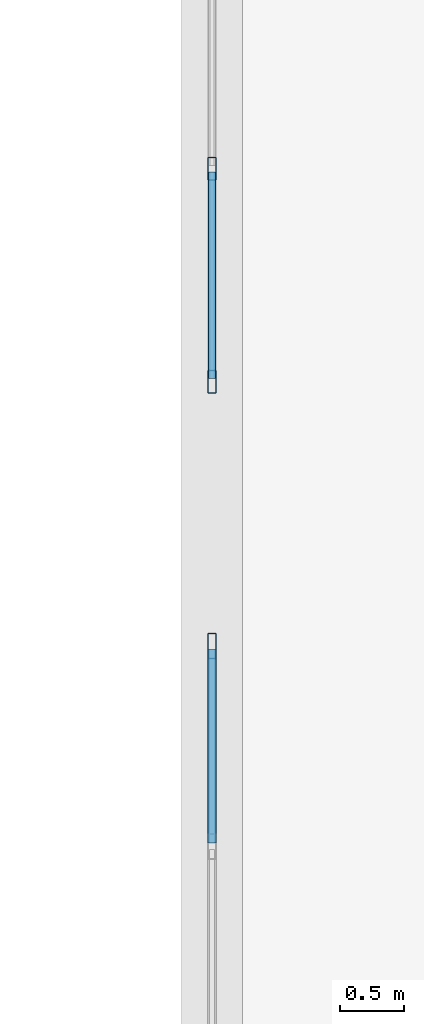
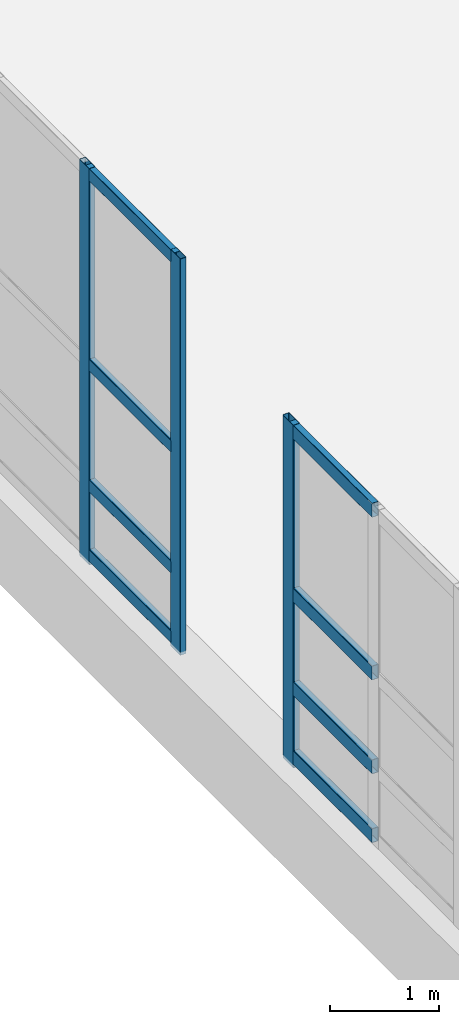
# One storey, part 11 of 197: 11 members, 2 elements without a shape of their own.
"""IFC4 building model written with IfcOpenShell, lengths in metres."""

from ifc_helpers import new_model, si_unit, derived_unit, direction, frame, origin, origin_2d, place, context, subcontext, project, spatial, hollow_rectangle, extrude, material, layer, layer_set, material_profile, profile_set, type_object, element, aggregate, save


model = new_model("IFC4")

# Units and contexts
model_context = context("Model", 3, precision=1e-05, world=origin(), true_north=direction((0.0, 1.0)))
body_context = subcontext(model_context, "Body", "Model", "MODEL_VIEW")
ifc_project = project(units=[si_unit("LENGTHUNIT", "METRE"), si_unit("AREAUNIT", "SQUARE_METRE"), si_unit("VOLUMEUNIT", "CUBIC_METRE"), si_unit("PLANEANGLEUNIT", "RADIAN"), si_unit("MASSUNIT", "GRAM", prefix="KILO"), derived_unit("THERMALTRANSMITTANCEUNIT", [(si_unit("POWERUNIT", "WATT"), 1), (si_unit("LENGTHUNIT", "METRE"), -2), (si_unit("THERMODYNAMICTEMPERATUREUNIT", "KELVIN"), -1)])], contexts=[model_context])

# Site, building, storey
site_placement = place(None, origin())
site = spatial("IfcSite", under=ifc_project, at=site_placement, CompositionType="ELEMENT")
building_placement = place(site_placement, origin())
building = spatial("IfcBuilding", under=site, at=building_placement, Name="Almenara Railside Exhibition Hall", CompositionType="ELEMENT")
storey_placement = place(building_placement, frame((0.0, 0.0, 5.39990234375)))
storey = spatial("IfcBuildingStorey", under=building, at=storey_placement, Name="L01", CompositionType="ELEMENT", Elevation=5.39990234375)

# Curtain wall, members
ifc_material_1 = material(Name="Bronze-anodised aluminium and low-E double glazing", Category="aluminium")
ifc_layer_1 = layer(ifc_material_1, 0.179931640625, Name="Bronze-anodised aluminium and low-E double glazing")
ifc_layer_set_1 = layer_set([ifc_layer_1], Name="Bronze-anodised aluminium and low-E double glazing")
curtain_wall_type_1 = type_object("IfcCurtainWallType", Name="Scroll Gable Mid Curtain Wall 3400x4400", PredefinedType="NOTDEFINED", material=ifc_layer_set_1)
curtain_wall_1_placement = place(storey_placement, origin())
curtain_wall_1 = element("IfcCurtainWall", 1, at=curtain_wall_1_placement, inside=storey, type_object=curtain_wall_type_1, Name="Curtain wall CW-G3-109", PredefinedType="NOTDEFINED")
ifc_material_2 = material(Name="Bronze-anodised aluminium", Category="aluminium")
ifc_material_profile_1 = material_profile(ifc_material_2, hollow_rectangle(XDim=0.06494140625, YDim=0.179931640625, WallThickness=0.00390625, InnerFilletRadius=0.00390625, OuterFilletRadius=0.008056640625, at=origin_2d()), Name="ALU-MUL 65x180x4")
ifc_profile_set_1 = profile_set([ifc_material_profile_1], Name="Bronze-anodised aluminium")
member_type_1 = type_object("IfcMemberType", Name="Curtain Wall Mullion 65x180x4", PredefinedType="MULLION", material=ifc_profile_set_1)
member_1_placement = place(storey_placement, frame((3.0, 13.9326171875, 0.9150390625), z_axis=(0.0, 0.0, 1.0), x_axis=(-1.0, 0.0, 0.0)))
member_1 = element("IfcMember", 2, at=member_1_placement, type_object=member_type_1, Name="CW-G3-109 mullion 1", PredefinedType="MULLION", context=body_context, shape_type="SweptSolid", body=[
    extrude(hollow_rectangle(XDim=0.06494140625, YDim=0.179931640625, WallThickness=0.00390625, InnerFilletRadius=0.00390625, OuterFilletRadius=0.008056640625, at=origin_2d()), origin(), (0.0, 0.0, 1.0), 4.43505859375),
])
member_2_placement = place(storey_placement, frame((3.0, 15.60009765625, 0.9150390625), z_axis=(0.0, 0.0, 1.0), x_axis=(-1.0, 0.0, 0.0)))
member_2 = element("IfcMember", 3, at=member_2_placement, type_object=member_type_1, Name="CW-G3-109 mullion 2", PredefinedType="MULLION", context=body_context, shape_type="SweptSolid", body=[
    extrude(hollow_rectangle(XDim=0.06494140625, YDim=0.179931640625, WallThickness=0.00390625, InnerFilletRadius=0.00390625, OuterFilletRadius=0.008056640625, at=origin_2d()), origin(), (0.0, 0.0, 1.0), 4.43505859375),
])

# Curtain wall, member
ifc_layer_2 = layer(ifc_material_1, 0.179931640625, Name="Bronze-anodised aluminium and low-E double glazing")
ifc_layer_set_2 = layer_set([ifc_layer_2], Name="Bronze-anodised aluminium and low-E double glazing")
curtain_wall_type_2 = type_object("IfcCurtainWallType", Name="Scroll Gable Side Curtain Wall 3200x3800", PredefinedType="NOTDEFINED", material=ifc_layer_set_2)
curtain_wall_2_placement = place(storey_placement, origin())
curtain_wall_2 = element("IfcCurtainWall", 4, at=curtain_wall_2_placement, inside=storey, type_object=curtain_wall_type_2, Name="Curtain wall CW-G4-108", PredefinedType="NOTDEFINED")
ifc_material_profile_2 = material_profile(ifc_material_2, hollow_rectangle(XDim=0.070068359375, YDim=0.199951171875, WallThickness=0.00439453125, InnerFilletRadius=0.00439453125, OuterFilletRadius=0.009033203125, at=origin_2d()), Name="ALU-MUL 70x200x4.5")
ifc_profile_set_2 = profile_set([ifc_material_profile_2], Name="Bronze-anodised aluminium")
member_type_2 = type_object("IfcMemberType", Name="Curtain Wall Mullion 70x200x4.5", PredefinedType="MULLION", material=ifc_profile_set_2)
member_3_placement = place(storey_placement, frame((3.0, 11.864990234375, 0.9150390625), z_axis=(0.0, 0.0, 1.0), x_axis=(-1.0, 0.0, 0.0)))
member_3 = element("IfcMember", 5, at=member_3_placement, type_object=member_type_2, Name="CW-G4-108 mullion 3", PredefinedType="MULLION", context=body_context, shape_type="SweptSolid", body=[
    extrude(hollow_rectangle(XDim=0.070068359375, YDim=0.199951171875, WallThickness=0.00439453125, InnerFilletRadius=0.00439453125, OuterFilletRadius=0.009033203125, at=origin_2d()), origin(), (0.0, 0.0, 1.0), 3.8349609375),
])

# Member
ifc_material_profile_3 = material_profile(ifc_material_2, hollow_rectangle(XDim=0.06494140625, YDim=0.139892578125, WallThickness=0.00341796875, InnerFilletRadius=0.00341796875, OuterFilletRadius=0.007080078125, at=origin_2d()), Name="ALU-TRN 65x140x3.5")
ifc_profile_set_3 = profile_set([ifc_material_profile_3], Name="Bronze-anodised aluminium")
member_type_3 = type_object("IfcMemberType", Name="Curtain Wall Transom 65x140x3.5", PredefinedType="USERDEFINED", material=ifc_profile_set_3)
member_4_placement = place(storey_placement, frame((3.0, 13.95703125, 1.02001953125), z_axis=(0.0, 1.0, 0.0), x_axis=(-1.0, 0.0, 0.0)))
member_4 = element("IfcMember", 6, at=member_4_placement, type_object=member_type_3, Name="CW-G3-109 transom 1.1", ObjectType="TRANSOM", PredefinedType="USERDEFINED", context=body_context, shape_type="SweptSolid", body=[
    extrude(hollow_rectangle(XDim=0.06494140625, YDim=0.139892578125, WallThickness=0.00341796875, InnerFilletRadius=0.00341796875, OuterFilletRadius=0.007080078125, at=origin_2d()), origin(), (0.0, 0.0, 1.0), 1.618408203125),
])

member_5_placement = place(storey_placement, frame((3.0, 13.95703125, 1.800048828125), z_axis=(0.0, 1.0, 0.0), x_axis=(-1.0, 0.0, 0.0)))
member_5 = element("IfcMember", 7, at=member_5_placement, type_object=member_type_3, Name="CW-G3-109 transom 1.2", ObjectType="TRANSOM", PredefinedType="USERDEFINED", context=body_context, shape_type="SweptSolid", body=[
    extrude(hollow_rectangle(XDim=0.06494140625, YDim=0.139892578125, WallThickness=0.00341796875, InnerFilletRadius=0.00341796875, OuterFilletRadius=0.007080078125, at=origin_2d()), origin(), (0.0, 0.0, 1.0), 1.618408203125),
])

member_6_placement = place(storey_placement, frame((3.0, 13.95703125, 3.150146484375), z_axis=(0.0, 1.0, 0.0), x_axis=(-1.0, 0.0, 0.0)))
member_6 = element("IfcMember", 8, at=member_6_placement, type_object=member_type_3, Name="CW-G3-109 transom 1.3", ObjectType="TRANSOM", PredefinedType="USERDEFINED", context=body_context, shape_type="SweptSolid", body=[
    extrude(hollow_rectangle(XDim=0.06494140625, YDim=0.139892578125, WallThickness=0.00341796875, InnerFilletRadius=0.00341796875, OuterFilletRadius=0.007080078125, at=origin_2d()), origin(), (0.0, 0.0, 1.0), 1.618408203125),
])

member_7_placement = place(storey_placement, frame((3.0, 13.95703125, 5.280029296875), z_axis=(0.0, 1.0, 0.0), x_axis=(-1.0, 0.0, 0.0)))
member_7 = element("IfcMember", 9, at=member_7_placement, type_object=member_type_3, Name="CW-G3-109 transom 1.4", ObjectType="TRANSOM", PredefinedType="USERDEFINED", context=body_context, shape_type="SweptSolid", body=[
    extrude(hollow_rectangle(XDim=0.06494140625, YDim=0.139892578125, WallThickness=0.00341796875, InnerFilletRadius=0.00341796875, OuterFilletRadius=0.007080078125, at=origin_2d()), origin(), (0.0, 0.0, 1.0), 1.618408203125),
])

aggregate(curtain_wall_1, [member_1, member_2, member_4, member_5, member_6, member_7])

ifc_material_profile_4 = material_profile(ifc_material_2, hollow_rectangle(XDim=0.070068359375, YDim=0.159912109375, WallThickness=0.00390625, InnerFilletRadius=0.00390625, OuterFilletRadius=0.008056640625, at=origin_2d()), Name="ALU-TRN 70x160x4")
ifc_profile_set_4 = profile_set([ifc_material_profile_4], Name="Bronze-anodised aluminium")
member_type_4 = type_object("IfcMemberType", Name="Curtain Wall Transom 70x160x4", PredefinedType="USERDEFINED", material=ifc_profile_set_4)
member_8_placement = place(storey_placement, frame((3.0, 10.326904296875, 1.030029296875), z_axis=(0.0, 1.0, 0.0), x_axis=(-1.0, 0.0, 0.0)))
member_8 = element("IfcMember", 10, at=member_8_placement, type_object=member_type_4, Name="CW-G4-108 transom 2.1", ObjectType="TRANSOM", PredefinedType="USERDEFINED", context=body_context, shape_type="SweptSolid", body=[
    extrude(hollow_rectangle(XDim=0.070068359375, YDim=0.159912109375, WallThickness=0.00390625, InnerFilletRadius=0.00390625, OuterFilletRadius=0.008056640625, at=origin_2d()), origin(), (0.0, 0.0, 1.0), 1.510986328125),
])

member_9_placement = place(storey_placement, frame((3.0, 10.326904296875, 1.800048828125), z_axis=(0.0, 1.0, 0.0), x_axis=(-1.0, 0.0, 0.0)))
member_9 = element("IfcMember", 11, at=member_9_placement, type_object=member_type_4, Name="CW-G4-108 transom 2.2", ObjectType="TRANSOM", PredefinedType="USERDEFINED", context=body_context, shape_type="SweptSolid", body=[
    extrude(hollow_rectangle(XDim=0.070068359375, YDim=0.159912109375, WallThickness=0.00390625, InnerFilletRadius=0.00390625, OuterFilletRadius=0.008056640625, at=origin_2d()), origin(), (0.0, 0.0, 1.0), 1.510986328125),
])

member_10_placement = place(storey_placement, frame((3.0, 10.326904296875, 2.85009765625), z_axis=(0.0, 1.0, 0.0), x_axis=(-1.0, 0.0, 0.0)))
member_10 = element("IfcMember", 12, at=member_10_placement, type_object=member_type_4, Name="CW-G4-108 transom 2.3", ObjectType="TRANSOM", PredefinedType="USERDEFINED", context=body_context, shape_type="SweptSolid", body=[
    extrude(hollow_rectangle(XDim=0.070068359375, YDim=0.159912109375, WallThickness=0.00390625, InnerFilletRadius=0.00390625, OuterFilletRadius=0.008056640625, at=origin_2d()), origin(), (0.0, 0.0, 1.0), 1.510986328125),
])

member_11_placement = place(storey_placement, frame((3.0, 10.326904296875, 4.670166015625), z_axis=(0.0, 1.0, 0.0), x_axis=(-1.0, 0.0, 0.0)))
member_11 = element("IfcMember", 13, at=member_11_placement, type_object=member_type_4, Name="CW-G4-108 transom 2.4", ObjectType="TRANSOM", PredefinedType="USERDEFINED", context=body_context, shape_type="SweptSolid", body=[
    extrude(hollow_rectangle(XDim=0.070068359375, YDim=0.159912109375, WallThickness=0.00390625, InnerFilletRadius=0.00390625, OuterFilletRadius=0.008056640625, at=origin_2d()), origin(), (0.0, 0.0, 1.0), 1.510986328125),
])

aggregate(curtain_wall_2, [member_3, member_8, member_9, member_10, member_11])

save(model, "model.ifc")
